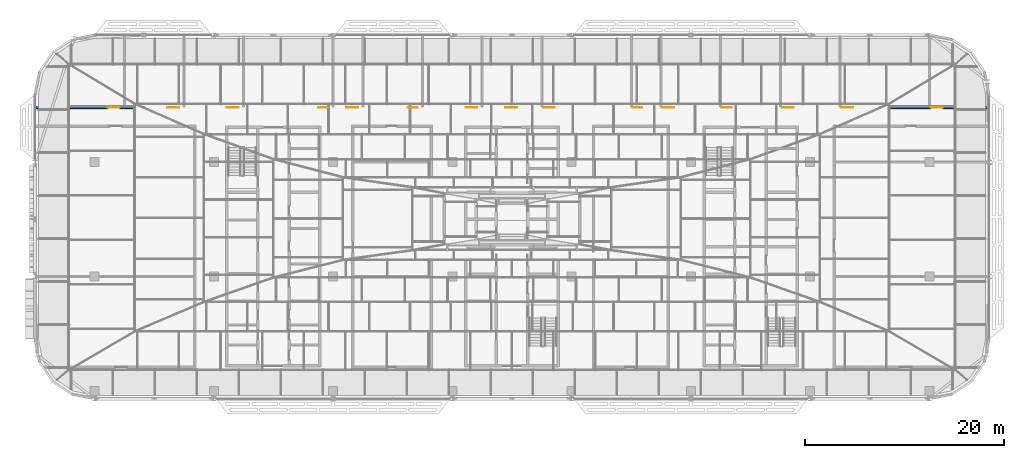
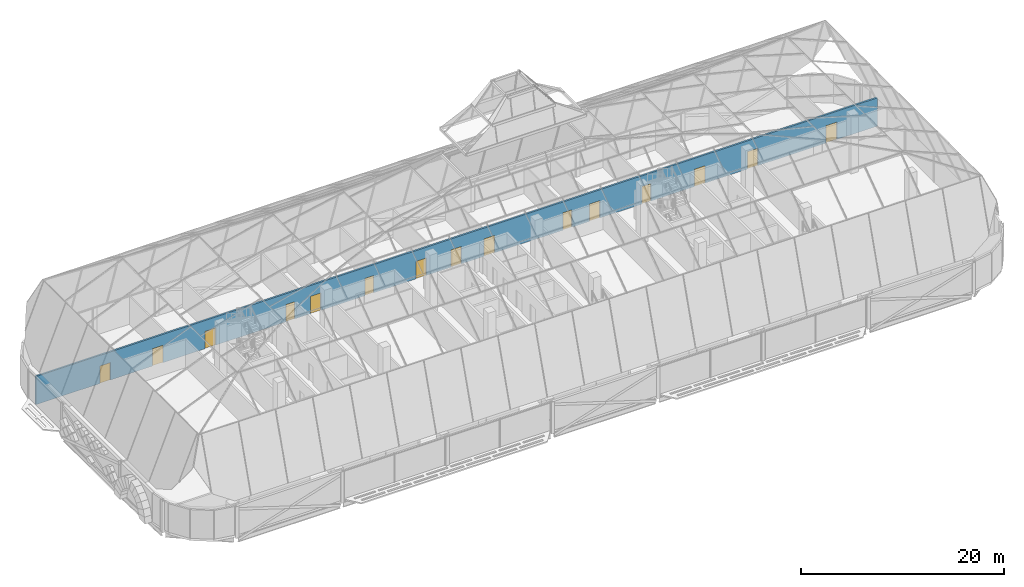
# One storey, part 26 of 39: 15 doors, 1 wall, 15 openings.
"""IFC4 building model written with IfcOpenShell, lengths in metres."""

from ifc_helpers import new_model, si_unit, direction, frame, frame_2d, origin, place, context, subcontext, project, spatial, rectangle, extrude, material, layer, layer_set, type_object, element, fill, save


model = new_model("IFC4")

# Units and contexts
model_context = context("Model", 3, precision=1e-05, world=origin(), true_north=direction((0.0, 1.0)))
body_context = subcontext(model_context, "Body", "Model", "MODEL_VIEW")
ifc_project = project(units=[si_unit("LENGTHUNIT", "METRE"), si_unit("AREAUNIT", "SQUARE_METRE"), si_unit("VOLUMEUNIT", "CUBIC_METRE"), si_unit("PLANEANGLEUNIT", "RADIAN"), si_unit("MASSUNIT", "GRAM", prefix="KILO")], contexts=[model_context])

# Site, building, storey
site_placement = place(None, origin())
site = spatial("IfcSite", under=ifc_project, at=site_placement, CompositionType="ELEMENT")
building_placement = place(site_placement, origin())
building = spatial("IfcBuilding", under=site, at=building_placement, Name="Mahtab Terrace Research Tower", CompositionType="ELEMENT")
storey_placement = place(building_placement, frame((0.0, 0.0, 282.300048828125)))
storey = spatial("IfcBuildingStorey", under=building, at=storey_placement, Name="L69", CompositionType="ELEMENT", Elevation=282.300048828125)

# Wall, openings, doors
ifc_material_1 = material(Name="Gypsum board corridor wall on steel studs", Category="steel")
ifc_layer = layer(ifc_material_1, 0.199951171875)
ifc_layer_set = layer_set([ifc_layer], Name="WALL CORRIDOR 200")
wall_type = type_object("IfcWallType", Name="WALL CORRIDOR 200", PredefinedType="PARTITIONING", material=ifc_layer_set)
wall_placement = place(storey_placement, frame((-47.97509765625, 17.0, 0.0), z_axis=(0.0, 0.0, 1.0), x_axis=(1.0, 0.0, 0.0)))
wall = element("IfcWall", 1, at=wall_placement, inside=storey, type_object=wall_type, Name="L69-W018", PredefinedType="PARTITIONING", context=body_context, shape_type="SweptSolid", body=[
    extrude(rectangle(XDim=95.9501953125, YDim=0.199951171875, at=frame_2d((47.97509765625, 0.0))), origin(), (0.0, 0.0, 1.0), 3.39990234375),
])
opening_1_placement = place(wall_placement, frame((7.300048828125, 0.0, 0.0)))
opening_1 = element("IfcOpeningElement", 2, at=opening_1_placement, cuts=wall, Name="Opening L69-111", PredefinedType="OPENING", context=body_context, shape_type="SweptSolid", body=[
    extrude(rectangle(XDim=1.199951171875, YDim=2.10009765625, at=frame_2d((0.60009765625, 1.050048828125))), frame((0.0, 0.10986328125, 0.0), z_axis=(0.0, -1.0, 0.0), x_axis=(1.0, 0.0, 0.0)), (0.0, 0.0, 1.0), 0.219970703125),
])
opening_2_placement = place(wall_placement, frame((13.300048828125, 0.0, 0.0)))
opening_2 = element("IfcOpeningElement", 3, at=opening_2_placement, cuts=wall, Name="Opening L69-112", PredefinedType="OPENING", context=body_context, shape_type="SweptSolid", body=[
    extrude(rectangle(XDim=1.199951171875, YDim=2.10009765625, at=frame_2d((0.60009765625, 1.050048828125))), frame((0.0, 0.10986328125, 0.0), z_axis=(0.0, -1.0, 0.0), x_axis=(1.0, 0.0, 0.0)), (0.0, 0.0, 1.0), 0.219970703125),
])
opening_3_placement = place(wall_placement, frame((19.300048828125, 0.0, 0.0)))
opening_3 = element("IfcOpeningElement", 4, at=opening_3_placement, cuts=wall, Name="Opening L69-113", PredefinedType="OPENING", context=body_context, shape_type="SweptSolid", body=[
    extrude(rectangle(XDim=1.199951171875, YDim=2.10009765625, at=frame_2d((0.60009765625, 1.050048828125))), frame((0.0, 0.10986328125, 0.0), z_axis=(0.0, -1.0, 0.0), x_axis=(1.0, 0.0, 0.0)), (0.0, 0.0, 1.0), 0.219970703125),
])
opening_4_placement = place(wall_placement, frame((28.5, 0.0, 0.0)))
opening_4 = element("IfcOpeningElement", 5, at=opening_4_placement, cuts=wall, Name="Opening L69-114", PredefinedType="OPENING", context=body_context, shape_type="SweptSolid", body=[
    extrude(rectangle(XDim=1.0, YDim=2.10009765625, at=frame_2d((0.5, 1.050048828125))), frame((0.0, 0.10986328125, 0.0), z_axis=(0.0, -1.0, 0.0), x_axis=(1.0, 0.0, 0.0)), (0.0, 0.0, 1.0), 0.219970703125),
])
opening_5_placement = place(wall_placement, frame((31.300048828125, 0.0, 0.0)))
opening_5 = element("IfcOpeningElement", 6, at=opening_5_placement, cuts=wall, Name="Opening L69-115", PredefinedType="OPENING", context=body_context, shape_type="SweptSolid", body=[
    extrude(rectangle(XDim=1.199951171875, YDim=2.10009765625, at=frame_2d((0.60009765625, 1.050048828125))), frame((0.0, 0.10986328125, 0.0), z_axis=(0.0, -1.0, 0.0), x_axis=(1.0, 0.0, 0.0)), (0.0, 0.0, 1.0), 0.219970703125),
])
opening_6_placement = place(wall_placement, frame((37.5, 0.0, 0.0)))
opening_6 = element("IfcOpeningElement", 7, at=opening_6_placement, cuts=wall, Name="Opening L69-116", PredefinedType="OPENING", context=body_context, shape_type="SweptSolid", body=[
    extrude(rectangle(XDim=1.0, YDim=2.10009765625, at=frame_2d((0.5, 1.050048828125))), frame((0.0, 0.10986328125, 0.0), z_axis=(0.0, -1.0, 0.0), x_axis=(1.0, 0.0, 0.0)), (0.0, 0.0, 1.0), 0.219970703125),
])
opening_7_placement = place(wall_placement, frame((43.300048828125, 0.0, 0.0)))
opening_7 = element("IfcOpeningElement", 8, at=opening_7_placement, cuts=wall, Name="Opening L69-117", PredefinedType="OPENING", context=body_context, shape_type="SweptSolid", body=[
    extrude(rectangle(XDim=1.199951171875, YDim=2.10009765625, at=frame_2d((0.60009765625, 1.050048828125))), frame((0.0, 0.10986328125, 0.0), z_axis=(0.0, -1.0, 0.0), x_axis=(1.0, 0.0, 0.0)), (0.0, 0.0, 1.0), 0.219970703125),
])
opening_8_placement = place(wall_placement, frame((47.300048828125, 0.0, 0.0)))
opening_8 = element("IfcOpeningElement", 9, at=opening_8_placement, cuts=wall, Name="Opening L69-118", PredefinedType="OPENING", context=body_context, shape_type="SweptSolid", body=[
    extrude(rectangle(XDim=1.199951171875, YDim=2.10009765625, at=frame_2d((0.60009765625, 1.050048828125))), frame((0.0, 0.10986328125, 0.0), z_axis=(0.0, -1.0, 0.0), x_axis=(1.0, 0.0, 0.0)), (0.0, 0.0, 1.0), 0.219970703125),
])
opening_9_placement = place(wall_placement, frame((51.10009765625, 0.0, 0.0)))
opening_9 = element("IfcOpeningElement", 10, at=opening_9_placement, cuts=wall, Name="Opening L69-119", PredefinedType="OPENING", context=body_context, shape_type="SweptSolid", body=[
    extrude(rectangle(XDim=1.199951171875, YDim=2.10009765625, at=frame_2d((0.60009765625, 1.050048828125))), frame((0.0, 0.10986328125, 0.0), z_axis=(0.0, -1.0, 0.0), x_axis=(1.0, 0.0, 0.0)), (0.0, 0.0, 1.0), 0.219970703125),
])
opening_10_placement = place(wall_placement, frame((60.10009765625, 0.0, 0.0)))
opening_10 = element("IfcOpeningElement", 11, at=opening_10_placement, cuts=wall, Name="Opening L69-120", PredefinedType="OPENING", context=body_context, shape_type="SweptSolid", body=[
    extrude(rectangle(XDim=1.0, YDim=2.10009765625, at=frame_2d((0.5, 1.050048828125))), frame((0.0, 0.10986328125, 0.0), z_axis=(0.0, -1.0, 0.0), x_axis=(1.0, 0.0, 0.0)), (0.0, 0.0, 1.0), 0.219970703125),
])
opening_11_placement = place(wall_placement, frame((63.10009765625, 0.0, 0.0)))
opening_11 = element("IfcOpeningElement", 12, at=opening_11_placement, cuts=wall, Name="Opening L69-121", PredefinedType="OPENING", context=body_context, shape_type="SweptSolid", body=[
    extrude(rectangle(XDim=1.199951171875, YDim=2.10009765625, at=frame_2d((0.60009765625, 1.050048828125))), frame((0.0, 0.10986328125, 0.0), z_axis=(0.0, -1.0, 0.0), x_axis=(1.0, 0.0, 0.0)), (0.0, 0.0, 1.0), 0.219970703125),
])
opening_12_placement = place(wall_placement, frame((69.10009765625, 0.0, 0.0)))
opening_12 = element("IfcOpeningElement", 13, at=opening_12_placement, cuts=wall, Name="Opening L69-122", PredefinedType="OPENING", context=body_context, shape_type="SweptSolid", body=[
    extrude(rectangle(XDim=1.0, YDim=2.10009765625, at=frame_2d((0.5, 1.050048828125))), frame((0.0, 0.10986328125, 0.0), z_axis=(0.0, -1.0, 0.0), x_axis=(1.0, 0.0, 0.0)), (0.0, 0.0, 1.0), 0.219970703125),
])
opening_13_placement = place(wall_placement, frame((75.10009765625, 0.0, 0.0)))
opening_13 = element("IfcOpeningElement", 14, at=opening_13_placement, cuts=wall, Name="Opening L69-123", PredefinedType="OPENING", context=body_context, shape_type="SweptSolid", body=[
    extrude(rectangle(XDim=1.199951171875, YDim=2.10009765625, at=frame_2d((0.60009765625, 1.050048828125))), frame((0.0, 0.10986328125, 0.0), z_axis=(0.0, -1.0, 0.0), x_axis=(1.0, 0.0, 0.0)), (0.0, 0.0, 1.0), 0.219970703125),
])
opening_14_placement = place(wall_placement, frame((81.10009765625, 0.0, 0.0)))
opening_14 = element("IfcOpeningElement", 15, at=opening_14_placement, cuts=wall, Name="Opening L69-124", PredefinedType="OPENING", context=body_context, shape_type="SweptSolid", body=[
    extrude(rectangle(XDim=1.199951171875, YDim=2.10009765625, at=frame_2d((0.60009765625, 1.050048828125))), frame((0.0, 0.10986328125, 0.0), z_axis=(0.0, -1.0, 0.0), x_axis=(1.0, 0.0, 0.0)), (0.0, 0.0, 1.0), 0.219970703125),
])
opening_15_placement = place(wall_placement, frame((90.10009765625, 0.0, 0.0)))
opening_15 = element("IfcOpeningElement", 16, at=opening_15_placement, cuts=wall, Name="Opening L69-125", PredefinedType="OPENING", context=body_context, shape_type="SweptSolid", body=[
    extrude(rectangle(XDim=1.199951171875, YDim=2.10009765625, at=frame_2d((0.60009765625, 1.050048828125))), frame((0.0, 0.10986328125, 0.0), z_axis=(0.0, -1.0, 0.0), x_axis=(1.0, 0.0, 0.0)), (0.0, 0.0, 1.0), 0.219970703125),
])
ifc_material_2 = material(Name="Timber door leaf in steel frame", Category="steel")
door_type_1 = type_object("IfcDoorType", Name="DOOR 1000X2100 FD30S", OperationType="SINGLE_SWING_LEFT", PredefinedType="DOOR", material=ifc_material_2)
door_1_placement = place(opening_4_placement, origin())
door_1 = element("IfcDoor", 17, at=door_1_placement, inside=storey, type_object=door_type_1, Name="Door L69-114", OperationType="SINGLE_SWING_LEFT", OverallHeight=2.10009765625, OverallWidth=1.0, PredefinedType="DOOR", context=body_context, shape_type="SweptSolid", body=[
    extrude(rectangle(XDim=1.0, YDim=2.10009765625, at=frame_2d((0.5, 1.050048828125))), frame((0.0, 0.02490234375, 0.0), z_axis=(0.0, -1.0, 0.0), x_axis=(1.0, 0.0, 0.0)), (0.0, 0.0, 1.0), 0.050048828125),
])
fill(opening_4, door_1)
door_2_placement = place(opening_6_placement, origin())
door_2 = element("IfcDoor", 18, at=door_2_placement, inside=storey, type_object=door_type_1, Name="Door L69-116", OperationType="SINGLE_SWING_LEFT", OverallHeight=2.10009765625, OverallWidth=1.0, PredefinedType="DOOR", context=body_context, shape_type="SweptSolid", body=[
    extrude(rectangle(XDim=1.0, YDim=2.10009765625, at=frame_2d((0.5, 1.050048828125))), frame((0.0, 0.02490234375, 0.0), z_axis=(0.0, -1.0, 0.0), x_axis=(1.0, 0.0, 0.0)), (0.0, 0.0, 1.0), 0.050048828125),
])
fill(opening_6, door_2)
door_3_placement = place(opening_10_placement, origin())
door_3 = element("IfcDoor", 19, at=door_3_placement, inside=storey, type_object=door_type_1, Name="Door L69-120", OperationType="SINGLE_SWING_RIGHT", OverallHeight=2.10009765625, OverallWidth=1.0, PredefinedType="DOOR", context=body_context, shape_type="SweptSolid", body=[
    extrude(rectangle(XDim=1.0, YDim=2.10009765625, at=frame_2d((0.5, 1.050048828125))), frame((0.0, 0.02490234375, 0.0), z_axis=(0.0, -1.0, 0.0), x_axis=(1.0, 0.0, 0.0)), (0.0, 0.0, 1.0), 0.050048828125),
])
fill(opening_10, door_3)
door_4_placement = place(opening_12_placement, origin())
door_4 = element("IfcDoor", 20, at=door_4_placement, inside=storey, type_object=door_type_1, Name="Door L69-122", OperationType="SINGLE_SWING_RIGHT", OverallHeight=2.10009765625, OverallWidth=1.0, PredefinedType="DOOR", context=body_context, shape_type="SweptSolid", body=[
    extrude(rectangle(XDim=1.0, YDim=2.10009765625, at=frame_2d((0.5, 1.050048828125))), frame((0.0, 0.02490234375, 0.0), z_axis=(0.0, -1.0, 0.0), x_axis=(1.0, 0.0, 0.0)), (0.0, 0.0, 1.0), 0.050048828125),
])
fill(opening_12, door_4)
door_type_2 = type_object("IfcDoorType", Name="DOOR 1200X2100 FD30S", OperationType="SINGLE_SWING_LEFT", PredefinedType="DOOR", material=ifc_material_2)
door_5_placement = place(opening_1_placement, origin())
door_5 = element("IfcDoor", 21, at=door_5_placement, inside=storey, type_object=door_type_2, Name="Door L69-111", OperationType="SINGLE_SWING_LEFT", OverallHeight=2.10009765625, OverallWidth=1.199951171875, PredefinedType="DOOR", context=body_context, shape_type="SweptSolid", body=[
    extrude(rectangle(XDim=1.199951171875, YDim=2.10009765625, at=frame_2d((0.60009765625, 1.050048828125))), frame((0.0, 0.02490234375, 0.0), z_axis=(0.0, -1.0, 0.0), x_axis=(1.0, 0.0, 0.0)), (0.0, 0.0, 1.0), 0.050048828125),
])
fill(opening_1, door_5)
door_6_placement = place(opening_2_placement, origin())
door_6 = element("IfcDoor", 22, at=door_6_placement, inside=storey, type_object=door_type_2, Name="Door L69-112", OperationType="SINGLE_SWING_LEFT", OverallHeight=2.10009765625, OverallWidth=1.199951171875, PredefinedType="DOOR", context=body_context, shape_type="SweptSolid", body=[
    extrude(rectangle(XDim=1.199951171875, YDim=2.10009765625, at=frame_2d((0.60009765625, 1.050048828125))), frame((0.0, 0.02490234375, 0.0), z_axis=(0.0, -1.0, 0.0), x_axis=(1.0, 0.0, 0.0)), (0.0, 0.0, 1.0), 0.050048828125),
])
fill(opening_2, door_6)
door_7_placement = place(opening_3_placement, origin())
door_7 = element("IfcDoor", 23, at=door_7_placement, inside=storey, type_object=door_type_2, Name="Door L69-113", OperationType="SINGLE_SWING_LEFT", OverallHeight=2.10009765625, OverallWidth=1.199951171875, PredefinedType="DOOR", context=body_context, shape_type="SweptSolid", body=[
    extrude(rectangle(XDim=1.199951171875, YDim=2.10009765625, at=frame_2d((0.60009765625, 1.050048828125))), frame((0.0, 0.02490234375, 0.0), z_axis=(0.0, -1.0, 0.0), x_axis=(1.0, 0.0, 0.0)), (0.0, 0.0, 1.0), 0.050048828125),
])
fill(opening_3, door_7)
door_8_placement = place(opening_5_placement, origin())
door_8 = element("IfcDoor", 24, at=door_8_placement, inside=storey, type_object=door_type_2, Name="Door L69-115", OperationType="SINGLE_SWING_LEFT", OverallHeight=2.10009765625, OverallWidth=1.199951171875, PredefinedType="DOOR", context=body_context, shape_type="SweptSolid", body=[
    extrude(rectangle(XDim=1.199951171875, YDim=2.10009765625, at=frame_2d((0.60009765625, 1.050048828125))), frame((0.0, 0.02490234375, 0.0), z_axis=(0.0, -1.0, 0.0), x_axis=(1.0, 0.0, 0.0)), (0.0, 0.0, 1.0), 0.050048828125),
])
fill(opening_5, door_8)
door_9_placement = place(opening_7_placement, origin())
door_9 = element("IfcDoor", 25, at=door_9_placement, inside=storey, type_object=door_type_2, Name="Door L69-117", OperationType="SINGLE_SWING_LEFT", OverallHeight=2.10009765625, OverallWidth=1.199951171875, PredefinedType="DOOR", context=body_context, shape_type="SweptSolid", body=[
    extrude(rectangle(XDim=1.199951171875, YDim=2.10009765625, at=frame_2d((0.60009765625, 1.050048828125))), frame((0.0, 0.02490234375, 0.0), z_axis=(0.0, -1.0, 0.0), x_axis=(1.0, 0.0, 0.0)), (0.0, 0.0, 1.0), 0.050048828125),
])
fill(opening_7, door_9)
door_10_placement = place(opening_8_placement, origin())
door_10 = element("IfcDoor", 26, at=door_10_placement, inside=storey, type_object=door_type_2, Name="Door L69-118", OperationType="SINGLE_SWING_RIGHT", OverallHeight=2.10009765625, OverallWidth=1.199951171875, PredefinedType="DOOR", context=body_context, shape_type="SweptSolid", body=[
    extrude(rectangle(XDim=1.199951171875, YDim=2.10009765625, at=frame_2d((0.60009765625, 1.050048828125))), frame((0.0, 0.02490234375, 0.0), z_axis=(0.0, -1.0, 0.0), x_axis=(1.0, 0.0, 0.0)), (0.0, 0.0, 1.0), 0.050048828125),
])
fill(opening_8, door_10)
door_11_placement = place(opening_9_placement, origin())
door_11 = element("IfcDoor", 27, at=door_11_placement, inside=storey, type_object=door_type_2, Name="Door L69-119", OperationType="SINGLE_SWING_RIGHT", OverallHeight=2.10009765625, OverallWidth=1.199951171875, PredefinedType="DOOR", context=body_context, shape_type="SweptSolid", body=[
    extrude(rectangle(XDim=1.199951171875, YDim=2.10009765625, at=frame_2d((0.60009765625, 1.050048828125))), frame((0.0, 0.02490234375, 0.0), z_axis=(0.0, -1.0, 0.0), x_axis=(1.0, 0.0, 0.0)), (0.0, 0.0, 1.0), 0.050048828125),
])
fill(opening_9, door_11)
door_12_placement = place(opening_11_placement, origin())
door_12 = element("IfcDoor", 28, at=door_12_placement, inside=storey, type_object=door_type_2, Name="Door L69-121", OperationType="SINGLE_SWING_RIGHT", OverallHeight=2.10009765625, OverallWidth=1.199951171875, PredefinedType="DOOR", context=body_context, shape_type="SweptSolid", body=[
    extrude(rectangle(XDim=1.199951171875, YDim=2.10009765625, at=frame_2d((0.60009765625, 1.050048828125))), frame((0.0, 0.02490234375, 0.0), z_axis=(0.0, -1.0, 0.0), x_axis=(1.0, 0.0, 0.0)), (0.0, 0.0, 1.0), 0.050048828125),
])
fill(opening_11, door_12)
door_13_placement = place(opening_13_placement, origin())
door_13 = element("IfcDoor", 29, at=door_13_placement, inside=storey, type_object=door_type_2, Name="Door L69-123", OperationType="SINGLE_SWING_RIGHT", OverallHeight=2.10009765625, OverallWidth=1.199951171875, PredefinedType="DOOR", context=body_context, shape_type="SweptSolid", body=[
    extrude(rectangle(XDim=1.199951171875, YDim=2.10009765625, at=frame_2d((0.60009765625, 1.050048828125))), frame((0.0, 0.02490234375, 0.0), z_axis=(0.0, -1.0, 0.0), x_axis=(1.0, 0.0, 0.0)), (0.0, 0.0, 1.0), 0.050048828125),
])
fill(opening_13, door_13)
door_14_placement = place(opening_14_placement, origin())
door_14 = element("IfcDoor", 30, at=door_14_placement, inside=storey, type_object=door_type_2, Name="Door L69-124", OperationType="SINGLE_SWING_RIGHT", OverallHeight=2.10009765625, OverallWidth=1.199951171875, PredefinedType="DOOR", context=body_context, shape_type="SweptSolid", body=[
    extrude(rectangle(XDim=1.199951171875, YDim=2.10009765625, at=frame_2d((0.60009765625, 1.050048828125))), frame((0.0, 0.02490234375, 0.0), z_axis=(0.0, -1.0, 0.0), x_axis=(1.0, 0.0, 0.0)), (0.0, 0.0, 1.0), 0.050048828125),
])
fill(opening_14, door_14)
door_15_placement = place(opening_15_placement, origin())
door_15 = element("IfcDoor", 31, at=door_15_placement, inside=storey, type_object=door_type_2, Name="Door L69-125", OperationType="SINGLE_SWING_RIGHT", OverallHeight=2.10009765625, OverallWidth=1.199951171875, PredefinedType="DOOR", context=body_context, shape_type="SweptSolid", body=[
    extrude(rectangle(XDim=1.199951171875, YDim=2.10009765625, at=frame_2d((0.60009765625, 1.050048828125))), frame((0.0, 0.02490234375, 0.0), z_axis=(0.0, -1.0, 0.0), x_axis=(1.0, 0.0, 0.0)), (0.0, 0.0, 1.0), 0.050048828125),
])
fill(opening_15, door_15)

save(model, "model.ifc")
